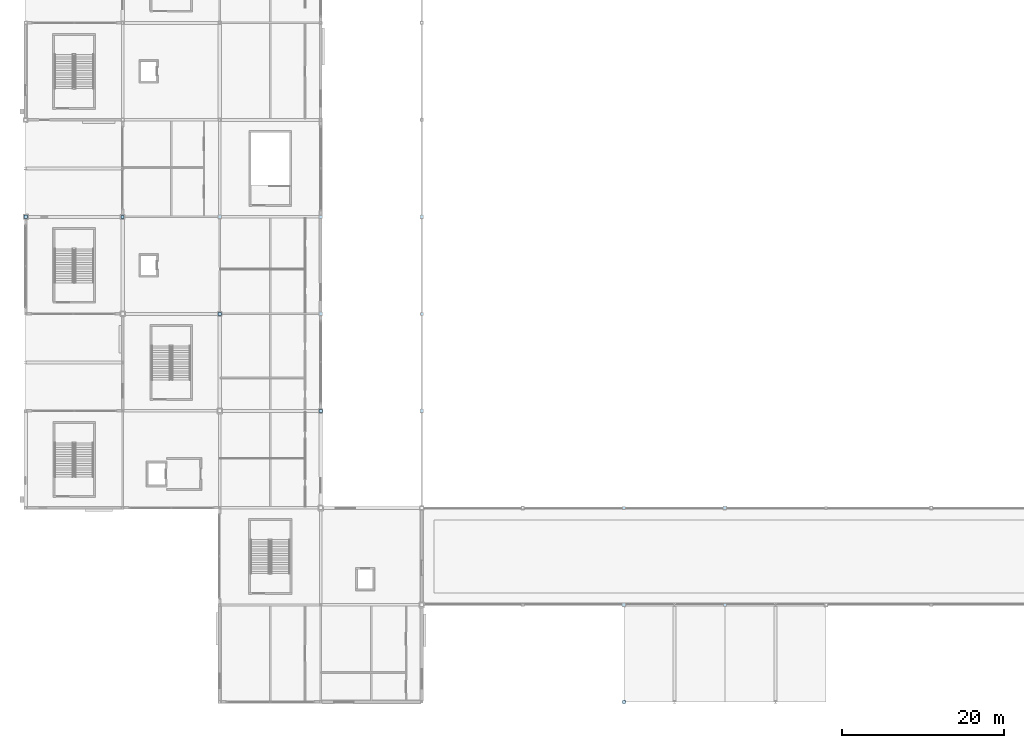
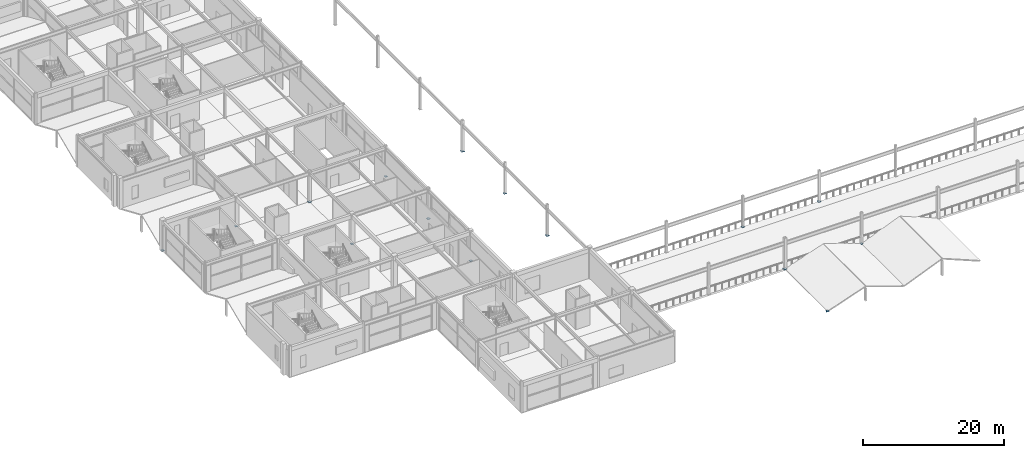
# One storey, part 62 of 105: 15 plates.
"""IFC4 building model written with IfcOpenShell, lengths in metres."""

from ifc_helpers import new_model, si_unit, direction, frame, origin, origin_2d, place, context, subcontext, project, spatial, rectangle, extrude, material, layer, layer_set, type_object, element, save


model = new_model("IFC4")

# Units and contexts
model_context = context("Model", 3, precision=1e-05, world=origin(), true_north=direction((0.0, 1.0)))
body_context = subcontext(model_context, "Body", "Model", "MODEL_VIEW")
ifc_project = project(units=[si_unit("LENGTHUNIT", "METRE"), si_unit("AREAUNIT", "SQUARE_METRE"), si_unit("VOLUMEUNIT", "CUBIC_METRE"), si_unit("PLANEANGLEUNIT", "RADIAN"), si_unit("MASSUNIT", "GRAM", prefix="KILO")], contexts=[model_context])

# Site, building, storey
site_placement = place(None, origin())
site = spatial("IfcSite", under=ifc_project, at=site_placement, CompositionType="ELEMENT")
building_placement = place(site_placement, origin())
building = spatial("IfcBuilding", under=site, at=building_placement, Name="Kazenohara Klinker Stadium", CompositionType="ELEMENT")
storey_placement = place(building_placement, frame((0.0, 0.0, 20.39990234375)))
storey = spatial("IfcBuildingStorey", under=building, at=storey_placement, Name="L04", CompositionType="ELEMENT", Elevation=20.39990234375)

# Plates
ifc_material = material(Name="Steel S355", Category="steel")
ifc_layer_1 = layer(ifc_material, 0.02001953125)
ifc_layer_set_1 = layer_set([ifc_layer_1], Name="Steel S355")
plate_type_1 = type_object("IfcPlateType", Name="PLT-GP01", PredefinedType="USERDEFINED", material=ifc_layer_set_1)
plate_1_placement = place(storey_placement, frame((36.5, 48.0, -0.010009765625), z_axis=(0.0, 0.0, 1.0), x_axis=(1.0, 0.0, 0.0)))
element("IfcPlate", 1, at=plate_1_placement, inside=storey, type_object=plate_type_1, Name="Hollow column end-cap plate GP01 L04 4/E", ObjectType="GUSSET PLATE", PredefinedType="USERDEFINED", context=body_context, shape_type="SweptSolid", body=[
    extrude(rectangle(XDim=0.389892578125, YDim=0.389892578125, at=origin_2d()), origin(), (0.0, 0.0, 1.0), 0.02001953125),
])
for number, where, z_axis, x_axis, name in (
    (2, (49.0, 48.0, -0.010009765625), (0.0, 0.0, 1.0), (1.0, 0.0, 0.0), "Hollow column end-cap plate GP01 L04 5/E"),
    (3, (74.0, 24.0, -0.010009765625), (0.0, 0.0, 1.0), (1.0, 0.0, 0.0), "Hollow column end-cap plate GP01 L04 7/C"),
):
    element("IfcPlate", number, at=place(storey_placement, frame(where, z_axis=z_axis, x_axis=x_axis)), inside=storey, type_object=plate_type_1, Name=name, ObjectType="GUSSET PLATE", PredefinedType="USERDEFINED", context=body_context, shape_type="SweptSolid", body=[
        extrude(rectangle(XDim=0.43994140625, YDim=0.43994140625, at=origin_2d()), origin(), (0.0, 0.0, 1.0), 0.02001953125),
    ])
plate_2_placement = place(storey_placement, frame((86.5, 24.0, -0.010009765625), z_axis=(0.0, 0.0, 1.0), x_axis=(1.0, 0.0, 0.0)))
element("IfcPlate", 4, at=plate_2_placement, inside=storey, type_object=plate_type_1, Name="Hollow column end-cap plate GP01 L04 8/C", ObjectType="GUSSET PLATE", PredefinedType="USERDEFINED", context=body_context, shape_type="SweptSolid", body=[
    extrude(rectangle(XDim=0.389892578125, YDim=0.389892578125, at=origin_2d()), origin(), (0.0, 0.0, 1.0), 0.02001953125),
])
plate_3_placement = place(storey_placement, frame((86.5, 36.0, -0.010009765625), z_axis=(0.0, 0.0, 1.0), x_axis=(1.0, 0.0, 0.0)))
element("IfcPlate", 5, at=plate_3_placement, inside=storey, type_object=plate_type_1, Name="Hollow column end-cap plate GP01 L04 8/D", ObjectType="GUSSET PLATE", PredefinedType="USERDEFINED", context=body_context, shape_type="SweptSolid", body=[
    extrude(rectangle(XDim=0.43994140625, YDim=0.43994140625, at=origin_2d()), origin(), (0.0, 0.0, 1.0), 0.02001953125),
])
ifc_layer_2 = layer(ifc_material, 0.02197265625)
ifc_layer_set_2 = layer_set([ifc_layer_2], Name="Steel S355")
plate_type_2 = type_object("IfcPlateType", Name="PLT-GP02", PredefinedType="USERDEFINED", material=ifc_layer_set_2)
for number, where, z_axis, x_axis, name in (
    (6, (12.0, 72.0, -0.010986328125), (0.0, 0.0, 1.0), (1.0, 0.0, 0.0), "Hollow column end-cap plate GP02 L04 2/G"),
    (7, (24.0, 60.0, -0.010986328125), (0.0, 0.0, 1.0), (1.0, 0.0, 0.0), "Hollow column end-cap plate GP02 L04 3/F"),
):
    element("IfcPlate", number, at=place(storey_placement, frame(where, z_axis=z_axis, x_axis=x_axis)), inside=storey, type_object=plate_type_2, Name=name, ObjectType="GUSSET PLATE", PredefinedType="USERDEFINED", context=body_context, shape_type="SweptSolid", body=[
        extrude(rectangle(XDim=0.389892578125, YDim=0.389892578125, at=origin_2d()), origin(), (0.0, 0.0, 1.0), 0.02197265625),
    ])
plate_4_placement = place(storey_placement, frame((36.5, 60.0, -0.010986328125), z_axis=(0.0, 0.0, 1.0), x_axis=(1.0, 0.0, 0.0)))
element("IfcPlate", 8, at=plate_4_placement, inside=storey, type_object=plate_type_2, Name="Hollow column end-cap plate GP02 L04 4/F", ObjectType="GUSSET PLATE", PredefinedType="USERDEFINED", context=body_context, shape_type="SweptSolid", body=[
    extrude(rectangle(XDim=0.43994140625, YDim=0.43994140625, at=origin_2d()), origin(), (0.0, 0.0, 1.0), 0.02197265625),
])
plate_5_placement = place(storey_placement, frame((49.0, 60.0, -0.010986328125), z_axis=(0.0, 0.0, 1.0), x_axis=(1.0, 0.0, 0.0)))
element("IfcPlate", 9, at=plate_5_placement, inside=storey, type_object=plate_type_2, Name="Hollow column end-cap plate GP02 L04 5/F", ObjectType="GUSSET PLATE", PredefinedType="USERDEFINED", context=body_context, shape_type="SweptSolid", body=[
    extrude(rectangle(XDim=0.389892578125, YDim=0.389892578125, at=origin_2d()), origin(), (0.0, 0.0, 1.0), 0.02197265625),
])
ifc_layer_3 = layer(ifc_material, 0.02392578125)
ifc_layer_set_3 = layer_set([ifc_layer_3], Name="Steel S355")
plate_type_3 = type_object("IfcPlateType", Name="PLT-GP03", PredefinedType="USERDEFINED", material=ifc_layer_set_3)
for number, where, z_axis, x_axis, name in (
    (10, (24.0, 72.0, -0.011962890625), (0.0, 0.0, 1.0), (1.0, 0.0, 0.0), "Hollow column end-cap plate GP03 L04 3/G"),
    (11, (49.0, 72.0, -0.011962890625), (0.0, 0.0, 1.0), (1.0, 0.0, 0.0), "Hollow column end-cap plate GP03 L04 5/G"),
):
    element("IfcPlate", number, at=place(storey_placement, frame(where, z_axis=z_axis, x_axis=x_axis)), inside=storey, type_object=plate_type_3, Name=name, ObjectType="GUSSET PLATE", PredefinedType="USERDEFINED", context=body_context, shape_type="SweptSolid", body=[
        extrude(rectangle(XDim=0.43994140625, YDim=0.43994140625, at=origin_2d()), origin(), (0.0, 0.0, 1.0), 0.02392578125),
    ])
ifc_layer_4 = layer(ifc_material, 0.02490234375)
ifc_layer_set_4 = layer_set([ifc_layer_4], Name="Steel S355")
plate_type_4 = type_object("IfcPlateType", Name="PLT-GP04", PredefinedType="USERDEFINED", material=ifc_layer_set_4)
plate_6_placement = place(storey_placement, frame((0.0, 72.0, -0.012451171875), z_axis=(0.0, 0.0, 1.0), x_axis=(1.0, 0.0, 0.0)))
element("IfcPlate", 12, at=plate_6_placement, inside=storey, type_object=plate_type_4, Name="Hollow column end-cap plate GP04 L04 1/G", ObjectType="GUSSET PLATE", PredefinedType="USERDEFINED", context=body_context, shape_type="SweptSolid", body=[
    extrude(rectangle(XDim=0.43994140625, YDim=0.43994140625, at=origin_2d()), origin(), (0.0, 0.0, 1.0), 0.02490234375),
])
for number, where, z_axis, x_axis, name in (
    (13, (36.5, 72.0, -0.012451171875), (0.0, 0.0, 1.0), (1.0, 0.0, 0.0), "Hollow column end-cap plate GP04 L04 4/G"),
    (14, (74.0, 12.0, -0.012451171875), (0.0, 0.0, 1.0), (1.0, 0.0, 0.0), "Hollow column end-cap plate GP04 L04 7/B"),
    (15, (74.0, 36.0, -0.012451171875), (0.0, 0.0, 1.0), (1.0, 0.0, 0.0), "Hollow column end-cap plate GP04 L04 7/D"),
):
    element("IfcPlate", number, at=place(storey_placement, frame(where, z_axis=z_axis, x_axis=x_axis)), inside=storey, type_object=plate_type_4, Name=name, ObjectType="GUSSET PLATE", PredefinedType="USERDEFINED", context=body_context, shape_type="SweptSolid", body=[
        extrude(rectangle(XDim=0.389892578125, YDim=0.389892578125, at=origin_2d()), origin(), (0.0, 0.0, 1.0), 0.02490234375),
    ])

save(model, "model.ifc")
